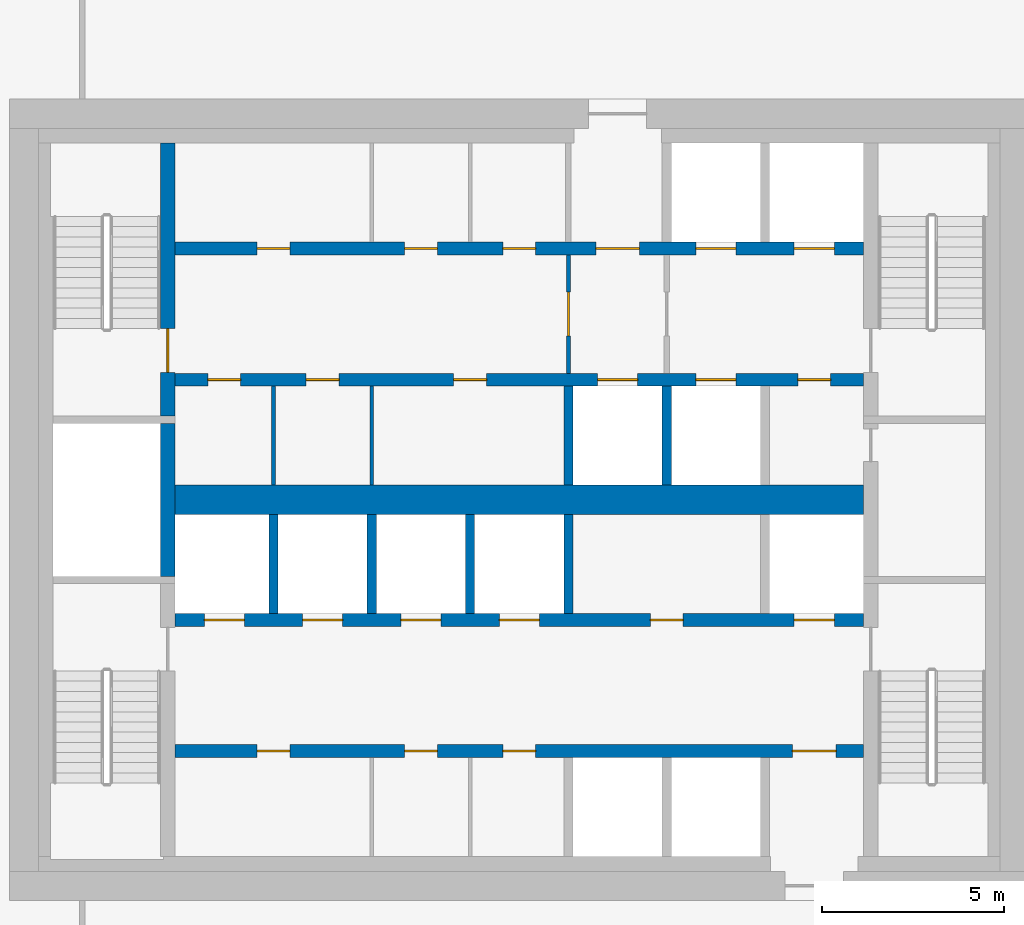
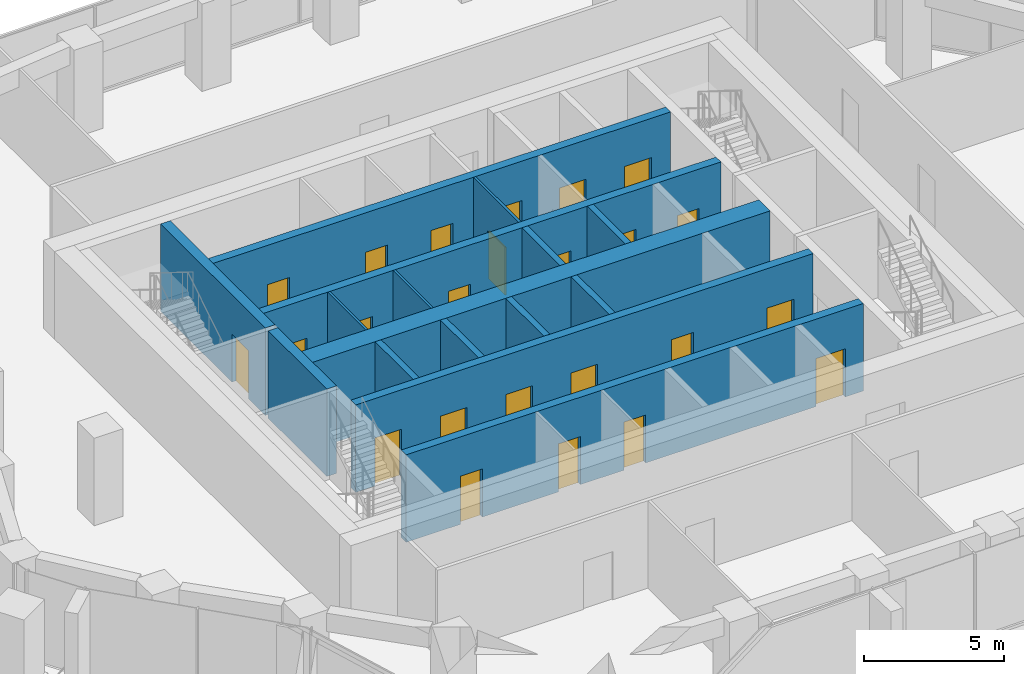
# One storey, part 11 of 17: 24 doors, 16 walls, 24 openings.
"""IFC4 building model written with IfcOpenShell, lengths in metres."""

from ifc_helpers import new_model, si_unit, direction, frame, frame_2d, origin, place, context, subcontext, project, spatial, rectangle, extrude, material, layer, layer_set, type_object, element, fill, save


model = new_model("IFC4")

# Units and contexts
model_context = context("Model", 3, precision=1e-05, world=origin(), true_north=direction((0.0, 1.0)))
body_context = subcontext(model_context, "Body", "Model", "MODEL_VIEW")
ifc_project = project(units=[si_unit("LENGTHUNIT", "METRE"), si_unit("AREAUNIT", "SQUARE_METRE"), si_unit("VOLUMEUNIT", "CUBIC_METRE"), si_unit("PLANEANGLEUNIT", "RADIAN"), si_unit("MASSUNIT", "GRAM", prefix="KILO")], contexts=[model_context])

# Site, building, storey
site_placement = place(None, origin())
site = spatial("IfcSite", under=ifc_project, at=site_placement, CompositionType="ELEMENT")
building_placement = place(site_placement, origin())
building = spatial("IfcBuilding", under=site, at=building_placement, Name="Dongbaek Canopy Tower", CompositionType="ELEMENT")
storey_placement = place(building_placement, frame((0.0, 0.0, 211.39990234375)))
storey = spatial("IfcBuildingStorey", under=building, at=storey_placement, Name="L44", CompositionType="ELEMENT", Elevation=211.39990234375)

# Wall
ifc_material_1 = material(Name="Concrete C60/75", Category="concrete")
ifc_layer_1 = layer(ifc_material_1, 0.800048828125)
ifc_layer_set_1 = layer_set([ifc_layer_1], Name="Core central wall 800 Concrete C60/75")
wall_type_1 = type_object("IfcWallType", Name="Core central wall 800 Concrete C60/75", PredefinedType="SHEAR", material=ifc_layer_set_1)
wall_1_placement = place(storey_placement, frame((-9.449951171875, 0.0, 0.0), z_axis=(0.0, 0.0, 1.0), x_axis=(1.0, 0.0, 0.0)))
element("IfcWall", 1, at=wall_1_placement, inside=storey, type_object=wall_type_1, Name="Core wall", PredefinedType="SHEAR", context=body_context, shape_type="SweptSolid", body=[
    extrude(rectangle(XDim=18.89990234375, YDim=0.800048828125, at=frame_2d((9.449951171875, 0.0))), origin(), (0.0, 0.0, 1.0), 3.820068359375),
])

# Wall, openings, doors
ifc_material_2 = material(Name="Concrete C60/75", Category="concrete")
ifc_layer_2 = layer(ifc_material_2, 0.35009765625)
ifc_layer_set_2 = layer_set([ifc_layer_2], Name="Core lobby wall 350 Concrete C60/75")
wall_type_2 = type_object("IfcWallType", Name="Core lobby wall 350 Concrete C60/75", PredefinedType="SHEAR", material=ifc_layer_set_2)
wall_2_placement = place(storey_placement, frame((-9.449951171875, 6.89990234375, 0.0), z_axis=(0.0, 0.0, 1.0), x_axis=(1.0, 0.0, 0.0)))
wall_2 = element("IfcWall", 2, at=wall_2_placement, inside=storey, type_object=wall_type_2, Name="Core wall", PredefinedType="SHEAR", context=body_context, shape_type="SweptSolid", body=[
    extrude(rectangle(XDim=18.89990234375, YDim=0.35009765625, at=frame_2d((9.449951171875, 0.0))), origin(), (0.0, 0.0, 1.0), 3.820068359375),
])
opening_1_placement = place(wall_2_placement, frame((11.550048828125, 0.0, 0.0)))
opening_1 = element("IfcOpeningElement", 3, at=opening_1_placement, cuts=wall_2, Name="Opening L44-D010", PredefinedType="OPENING", context=body_context, shape_type="SweptSolid", body=[
    extrude(rectangle(XDim=1.199951171875, YDim=2.10009765625, at=frame_2d((0.60009765625, 1.050048828125))), frame((0.0, 0.18505859375, 0.0), z_axis=(0.0, -1.0, 0.0), x_axis=(1.0, 0.0, 0.0)), (0.0, 0.0, 1.0), 0.3701171875),
])
opening_2_placement = place(wall_2_placement, frame((14.300048828125, 0.0, 0.0)))
opening_2 = element("IfcOpeningElement", 4, at=opening_2_placement, cuts=wall_2, Name="Opening L44-D011", PredefinedType="OPENING", context=body_context, shape_type="SweptSolid", body=[
    extrude(rectangle(XDim=1.10009765625, YDim=2.10009765625, at=frame_2d((0.550048828125, 1.050048828125))), frame((0.0, 0.18505859375, 0.0), z_axis=(0.0, -1.0, 0.0), x_axis=(1.0, 0.0, 0.0)), (0.0, 0.0, 1.0), 0.3701171875),
])
opening_3_placement = place(wall_2_placement, frame((17.0, 0.0, 0.0)))
opening_3 = element("IfcOpeningElement", 5, at=opening_3_placement, cuts=wall_2, Name="Opening L44-D012", PredefinedType="OPENING", context=body_context, shape_type="SweptSolid", body=[
    extrude(rectangle(XDim=1.10009765625, YDim=2.10009765625, at=frame_2d((0.550048828125, 1.050048828125))), frame((0.0, 0.18505859375, 0.0), z_axis=(0.0, -1.0, 0.0), x_axis=(1.0, 0.0, 0.0)), (0.0, 0.0, 1.0), 0.3701171875),
])
opening_4_placement = place(wall_2_placement, frame((2.25, 0.0, 0.0)))
opening_4 = element("IfcOpeningElement", 6, at=opening_4_placement, cuts=wall_2, Name="Opening L44-D023", PredefinedType="OPENING", context=body_context, shape_type="SweptSolid", body=[
    extrude(rectangle(XDim=0.89990234375, YDim=2.10009765625, at=frame_2d((0.449951171875, 1.050048828125))), frame((0.0, 0.18505859375, 0.0), z_axis=(0.0, -1.0, 0.0), x_axis=(1.0, 0.0, 0.0)), (0.0, 0.0, 1.0), 0.3701171875),
])
opening_5_placement = place(wall_2_placement, frame((6.300048828125, 0.0, 0.0)))
opening_5 = element("IfcOpeningElement", 7, at=opening_5_placement, cuts=wall_2, Name="Opening L44-D024", PredefinedType="OPENING", context=body_context, shape_type="SweptSolid", body=[
    extrude(rectangle(XDim=0.89990234375, YDim=2.10009765625, at=frame_2d((0.449951171875, 1.050048828125))), frame((0.0, 0.18505859375, 0.0), z_axis=(0.0, -1.0, 0.0), x_axis=(1.0, 0.0, 0.0)), (0.0, 0.0, 1.0), 0.3701171875),
])
opening_6_placement = place(wall_2_placement, frame((9.0, 0.0, 0.0)))
opening_6 = element("IfcOpeningElement", 8, at=opening_6_placement, cuts=wall_2, Name="Opening L44-D025", PredefinedType="OPENING", context=body_context, shape_type="SweptSolid", body=[
    extrude(rectangle(XDim=0.89990234375, YDim=2.10009765625, at=frame_2d((0.449951171875, 1.050048828125))), frame((0.0, 0.18505859375, 0.0), z_axis=(0.0, -1.0, 0.0), x_axis=(1.0, 0.0, 0.0)), (0.0, 0.0, 1.0), 0.3701171875),
])
ifc_material_3 = material(Name="Steel", Category="steel")
door_type_1 = type_object("IfcDoorType", Name="Core room door 900 x 2100", OperationType="SINGLE_SWING_LEFT", PredefinedType="DOOR", material=ifc_material_3)
door_1_placement = place(opening_4_placement, origin())
door_1 = element("IfcDoor", 9, at=door_1_placement, inside=storey, type_object=door_type_1, Name="Door L44-D023", OperationType="SINGLE_SWING_RIGHT", OverallHeight=2.10009765625, OverallWidth=0.89990234375, PredefinedType="DOOR", context=body_context, shape_type="SweptSolid", body=[
    extrude(rectangle(XDim=0.89990234375, YDim=2.10009765625, at=frame_2d((0.449951171875, 1.050048828125))), frame((0.0, 0.02490234375, 0.0), z_axis=(0.0, -1.0, 0.0), x_axis=(1.0, 0.0, 0.0)), (0.0, 0.0, 1.0), 0.050048828125),
])
fill(opening_4, door_1)
door_2_placement = place(opening_5_placement, origin())
door_2 = element("IfcDoor", 10, at=door_2_placement, inside=storey, type_object=door_type_1, Name="Door L44-D024", OperationType="SINGLE_SWING_LEFT", OverallHeight=2.10009765625, OverallWidth=0.89990234375, PredefinedType="DOOR", context=body_context, shape_type="SweptSolid", body=[
    extrude(rectangle(XDim=0.89990234375, YDim=2.10009765625, at=frame_2d((0.449951171875, 1.050048828125))), frame((0.0, 0.02490234375, 0.0), z_axis=(0.0, -1.0, 0.0), x_axis=(1.0, 0.0, 0.0)), (0.0, 0.0, 1.0), 0.050048828125),
])
fill(opening_5, door_2)
door_3_placement = place(opening_6_placement, origin())
door_3 = element("IfcDoor", 11, at=door_3_placement, inside=storey, type_object=door_type_1, Name="Door L44-D025", OperationType="SINGLE_SWING_RIGHT", OverallHeight=2.10009765625, OverallWidth=0.89990234375, PredefinedType="DOOR", context=body_context, shape_type="SweptSolid", body=[
    extrude(rectangle(XDim=0.89990234375, YDim=2.10009765625, at=frame_2d((0.449951171875, 1.050048828125))), frame((0.0, 0.02490234375, 0.0), z_axis=(0.0, -1.0, 0.0), x_axis=(1.0, 0.0, 0.0)), (0.0, 0.0, 1.0), 0.050048828125),
])
fill(opening_6, door_3)
ifc_material_4 = material(Name="Steel", Category="steel")
door_type_2 = type_object("IfcDoorType", Name="Fire lobby door 1200 x 2100", OperationType="SINGLE_SWING_LEFT", PredefinedType="DOOR", material=ifc_material_4)
door_4_placement = place(opening_1_placement, origin())
door_4 = element("IfcDoor", 12, at=door_4_placement, inside=storey, type_object=door_type_2, Name="Door L44-D010", OperationType="SINGLE_SWING_LEFT", OverallHeight=2.10009765625, OverallWidth=1.199951171875, PredefinedType="DOOR", context=body_context, shape_type="SweptSolid", body=[
    extrude(rectangle(XDim=1.199951171875, YDim=2.10009765625, at=frame_2d((0.60009765625, 1.050048828125))), frame((0.0, 0.02490234375, 0.0), z_axis=(0.0, -1.0, 0.0), x_axis=(1.0, 0.0, 0.0)), (0.0, 0.0, 1.0), 0.050048828125),
])
fill(opening_1, door_4)
ifc_material_5 = material(Name="Stainless steel", Category="steel")
door_type_3 = type_object("IfcDoorType", Name="Lift landing door 1100 x 2100", OperationType="DOUBLE_DOOR_SLIDING", PredefinedType="DOOR", material=ifc_material_5)
door_5_placement = place(opening_2_placement, origin())
door_5 = element("IfcDoor", 13, at=door_5_placement, inside=storey, type_object=door_type_3, Name="Landing door FF1", OperationType="DOUBLE_DOOR_SLIDING", OverallHeight=2.10009765625, OverallWidth=1.10009765625, PredefinedType="DOOR", context=body_context, shape_type="SweptSolid", body=[
    extrude(rectangle(XDim=1.10009765625, YDim=2.10009765625, at=frame_2d((0.550048828125, 1.050048828125))), frame((0.0, 0.02490234375, 0.0), z_axis=(0.0, -1.0, 0.0), x_axis=(1.0, 0.0, 0.0)), (0.0, 0.0, 1.0), 0.050048828125),
])
fill(opening_2, door_5)
door_6_placement = place(opening_3_placement, origin())
door_6 = element("IfcDoor", 14, at=door_6_placement, inside=storey, type_object=door_type_3, Name="Landing door FF2", OperationType="DOUBLE_DOOR_SLIDING", OverallHeight=2.10009765625, OverallWidth=1.10009765625, PredefinedType="DOOR", context=body_context, shape_type="SweptSolid", body=[
    extrude(rectangle(XDim=1.10009765625, YDim=2.10009765625, at=frame_2d((0.550048828125, 1.050048828125))), frame((0.0, 0.02490234375, 0.0), z_axis=(0.0, -1.0, 0.0), x_axis=(1.0, 0.0, 0.0)), (0.0, 0.0, 1.0), 0.050048828125),
])
fill(opening_3, door_6)

wall_3_placement = place(storey_placement, frame((9.449951171875, 3.300048828125, 0.0), z_axis=(0.0, 0.0, 1.0), x_axis=(-1.0, 0.0, 0.0)))
wall_3 = element("IfcWall", 15, at=wall_3_placement, inside=storey, type_object=wall_type_2, Name="Core wall", PredefinedType="SHEAR", context=body_context, shape_type="SweptSolid", body=[
    extrude(rectangle(XDim=18.89990234375, YDim=0.35009765625, at=frame_2d((9.449951171875, 0.0))), origin(), (0.0, 0.0, 1.0), 3.820068359375),
])
opening_7_placement = place(wall_3_placement, frame((6.199951171875, 0.0, 0.0)))
opening_7 = element("IfcOpeningElement", 16, at=opening_7_placement, cuts=wall_3, Name="Opening L44-D013", PredefinedType="OPENING", context=body_context, shape_type="SweptSolid", body=[
    extrude(rectangle(XDim=1.10009765625, YDim=2.10009765625, at=frame_2d((0.550048828125, 1.050048828125))), frame((0.0, 0.18505859375, 0.0), z_axis=(0.0, -1.0, 0.0), x_axis=(1.0, 0.0, 0.0)), (0.0, 0.0, 1.0), 0.3701171875),
])
opening_8_placement = place(wall_3_placement, frame((3.5, 0.0, 0.0)))
opening_8 = element("IfcOpeningElement", 17, at=opening_8_placement, cuts=wall_3, Name="Opening L44-D014", PredefinedType="OPENING", context=body_context, shape_type="SweptSolid", body=[
    extrude(rectangle(XDim=1.10009765625, YDim=2.10009765625, at=frame_2d((0.550048828125, 1.050048828125))), frame((0.0, 0.18505859375, 0.0), z_axis=(0.0, -1.0, 0.0), x_axis=(1.0, 0.0, 0.0)), (0.0, 0.0, 1.0), 0.3701171875),
])
opening_9_placement = place(wall_3_placement, frame((0.89990234375, 0.0, 0.0)))
opening_9 = element("IfcOpeningElement", 18, at=opening_9_placement, cuts=wall_3, Name="Opening L44-D015", PredefinedType="OPENING", context=body_context, shape_type="SweptSolid", body=[
    extrude(rectangle(XDim=0.89990234375, YDim=2.10009765625, at=frame_2d((0.449951171875, 1.050048828125))), frame((0.0, 0.18505859375, 0.0), z_axis=(0.0, -1.0, 0.0), x_axis=(1.0, 0.0, 0.0)), (0.0, 0.0, 1.0), 0.3701171875),
])
opening_10_placement = place(wall_3_placement, frame((17.10009765625, 0.0, 0.0)))
opening_10 = element("IfcOpeningElement", 19, at=opening_10_placement, cuts=wall_3, Name="Opening L44-D026", PredefinedType="OPENING", context=body_context, shape_type="SweptSolid", body=[
    extrude(rectangle(XDim=0.89990234375, YDim=2.10009765625, at=frame_2d((0.449951171875, 1.050048828125))), frame((0.0, 0.18505859375, 0.0), z_axis=(0.0, -1.0, 0.0), x_axis=(1.0, 0.0, 0.0)), (0.0, 0.0, 1.0), 0.3701171875),
])
opening_11_placement = place(wall_3_placement, frame((14.39990234375, 0.0, 0.0)))
opening_11 = element("IfcOpeningElement", 20, at=opening_11_placement, cuts=wall_3, Name="Opening L44-D027", PredefinedType="OPENING", context=body_context, shape_type="SweptSolid", body=[
    extrude(rectangle(XDim=0.89990234375, YDim=2.10009765625, at=frame_2d((0.449951171875, 1.050048828125))), frame((0.0, 0.18505859375, 0.0), z_axis=(0.0, -1.0, 0.0), x_axis=(1.0, 0.0, 0.0)), (0.0, 0.0, 1.0), 0.3701171875),
])
opening_12_placement = place(wall_3_placement, frame((10.35009765625, 0.0, 0.0)))
opening_12 = element("IfcOpeningElement", 21, at=opening_12_placement, cuts=wall_3, Name="Opening L44-D028", PredefinedType="OPENING", context=body_context, shape_type="SweptSolid", body=[
    extrude(rectangle(XDim=0.89990234375, YDim=2.10009765625, at=frame_2d((0.449951171875, 1.050048828125))), frame((0.0, 0.18505859375, 0.0), z_axis=(0.0, -1.0, 0.0), x_axis=(1.0, 0.0, 0.0)), (0.0, 0.0, 1.0), 0.3701171875),
])
door_7_placement = place(opening_9_placement, origin())
door_7 = element("IfcDoor", 22, at=door_7_placement, inside=storey, type_object=door_type_1, Name="Door L44-D015", OperationType="SINGLE_SWING_LEFT", OverallHeight=2.10009765625, OverallWidth=0.89990234375, PredefinedType="DOOR", context=body_context, shape_type="SweptSolid", body=[
    extrude(rectangle(XDim=0.89990234375, YDim=2.10009765625, at=frame_2d((0.449951171875, 1.050048828125))), frame((0.0, 0.02490234375, 0.0), z_axis=(0.0, -1.0, 0.0), x_axis=(1.0, 0.0, 0.0)), (0.0, 0.0, 1.0), 0.050048828125),
])
fill(opening_9, door_7)
door_8_placement = place(opening_10_placement, origin())
door_8 = element("IfcDoor", 23, at=door_8_placement, inside=storey, type_object=door_type_1, Name="Door L44-D026", OperationType="SINGLE_SWING_LEFT", OverallHeight=2.10009765625, OverallWidth=0.89990234375, PredefinedType="DOOR", context=body_context, shape_type="SweptSolid", body=[
    extrude(rectangle(XDim=0.89990234375, YDim=2.10009765625, at=frame_2d((0.449951171875, 1.050048828125))), frame((0.0, 0.02490234375, 0.0), z_axis=(0.0, -1.0, 0.0), x_axis=(1.0, 0.0, 0.0)), (0.0, 0.0, 1.0), 0.050048828125),
])
fill(opening_10, door_8)
door_9_placement = place(opening_11_placement, origin())
door_9 = element("IfcDoor", 24, at=door_9_placement, inside=storey, type_object=door_type_1, Name="Door L44-D027", OperationType="SINGLE_SWING_RIGHT", OverallHeight=2.10009765625, OverallWidth=0.89990234375, PredefinedType="DOOR", context=body_context, shape_type="SweptSolid", body=[
    extrude(rectangle(XDim=0.89990234375, YDim=2.10009765625, at=frame_2d((0.449951171875, 1.050048828125))), frame((0.0, 0.02490234375, 0.0), z_axis=(0.0, -1.0, 0.0), x_axis=(1.0, 0.0, 0.0)), (0.0, 0.0, 1.0), 0.050048828125),
])
fill(opening_11, door_9)
door_10_placement = place(opening_12_placement, origin())
door_10 = element("IfcDoor", 25, at=door_10_placement, inside=storey, type_object=door_type_1, Name="Door L44-D028", OperationType="SINGLE_SWING_LEFT", OverallHeight=2.10009765625, OverallWidth=0.89990234375, PredefinedType="DOOR", context=body_context, shape_type="SweptSolid", body=[
    extrude(rectangle(XDim=0.89990234375, YDim=2.10009765625, at=frame_2d((0.449951171875, 1.050048828125))), frame((0.0, 0.02490234375, 0.0), z_axis=(0.0, -1.0, 0.0), x_axis=(1.0, 0.0, 0.0)), (0.0, 0.0, 1.0), 0.050048828125),
])
fill(opening_12, door_10)
door_11_placement = place(opening_7_placement, origin())
door_11 = element("IfcDoor", 26, at=door_11_placement, inside=storey, type_object=door_type_3, Name="Landing door SV1", OperationType="DOUBLE_DOOR_SLIDING", OverallHeight=2.10009765625, OverallWidth=1.10009765625, PredefinedType="DOOR", context=body_context, shape_type="SweptSolid", body=[
    extrude(rectangle(XDim=1.10009765625, YDim=2.10009765625, at=frame_2d((0.550048828125, 1.050048828125))), frame((0.0, 0.02490234375, 0.0), z_axis=(0.0, -1.0, 0.0), x_axis=(1.0, 0.0, 0.0)), (0.0, 0.0, 1.0), 0.050048828125),
])
fill(opening_7, door_11)
door_12_placement = place(opening_8_placement, origin())
door_12 = element("IfcDoor", 27, at=door_12_placement, inside=storey, type_object=door_type_3, Name="Landing door FF3", OperationType="DOUBLE_DOOR_SLIDING", OverallHeight=2.10009765625, OverallWidth=1.10009765625, PredefinedType="DOOR", context=body_context, shape_type="SweptSolid", body=[
    extrude(rectangle(XDim=1.10009765625, YDim=2.10009765625, at=frame_2d((0.550048828125, 1.050048828125))), frame((0.0, 0.02490234375, 0.0), z_axis=(0.0, -1.0, 0.0), x_axis=(1.0, 0.0, 0.0)), (0.0, 0.0, 1.0), 0.050048828125),
])
fill(opening_8, door_12)

wall_4_placement = place(storey_placement, frame((-9.449951171875, -3.300048828125, 0.0), z_axis=(0.0, 0.0, 1.0), x_axis=(1.0, 0.0, 0.0)))
wall_4 = element("IfcWall", 28, at=wall_4_placement, inside=storey, type_object=wall_type_2, Name="Core wall", PredefinedType="SHEAR", context=body_context, shape_type="SweptSolid", body=[
    extrude(rectangle(XDim=18.89990234375, YDim=0.35009765625, at=frame_2d((9.449951171875, 0.0))), origin(), (0.0, 0.0, 1.0), 3.820068359375),
])
opening_13_placement = place(wall_4_placement, frame((0.800048828125, 0.0, 0.0)))
opening_13 = element("IfcOpeningElement", 29, at=opening_13_placement, cuts=wall_4, Name="Opening L44-D016", PredefinedType="OPENING", context=body_context, shape_type="SweptSolid", body=[
    extrude(rectangle(XDim=1.10009765625, YDim=2.10009765625, at=frame_2d((0.550048828125, 1.050048828125))), frame((0.0, 0.18505859375, 0.0), z_axis=(0.0, -1.0, 0.0), x_axis=(1.0, 0.0, 0.0)), (0.0, 0.0, 1.0), 0.3701171875),
])
opening_14_placement = place(wall_4_placement, frame((3.5, 0.0, 0.0)))
opening_14 = element("IfcOpeningElement", 30, at=opening_14_placement, cuts=wall_4, Name="Opening L44-D017", PredefinedType="OPENING", context=body_context, shape_type="SweptSolid", body=[
    extrude(rectangle(XDim=1.10009765625, YDim=2.10009765625, at=frame_2d((0.550048828125, 1.050048828125))), frame((0.0, 0.18505859375, 0.0), z_axis=(0.0, -1.0, 0.0), x_axis=(1.0, 0.0, 0.0)), (0.0, 0.0, 1.0), 0.3701171875),
])
opening_15_placement = place(wall_4_placement, frame((6.199951171875, 0.0, 0.0)))
opening_15 = element("IfcOpeningElement", 31, at=opening_15_placement, cuts=wall_4, Name="Opening L44-D018", PredefinedType="OPENING", context=body_context, shape_type="SweptSolid", body=[
    extrude(rectangle(XDim=1.10009765625, YDim=2.10009765625, at=frame_2d((0.550048828125, 1.050048828125))), frame((0.0, 0.18505859375, 0.0), z_axis=(0.0, -1.0, 0.0), x_axis=(1.0, 0.0, 0.0)), (0.0, 0.0, 1.0), 0.3701171875),
])
opening_16_placement = place(wall_4_placement, frame((8.89990234375, 0.0, 0.0)))
opening_16 = element("IfcOpeningElement", 32, at=opening_16_placement, cuts=wall_4, Name="Opening L44-D019", PredefinedType="OPENING", context=body_context, shape_type="SweptSolid", body=[
    extrude(rectangle(XDim=1.10009765625, YDim=2.10009765625, at=frame_2d((0.550048828125, 1.050048828125))), frame((0.0, 0.18505859375, 0.0), z_axis=(0.0, -1.0, 0.0), x_axis=(1.0, 0.0, 0.0)), (0.0, 0.0, 1.0), 0.3701171875),
])
opening_17_placement = place(wall_4_placement, frame((17.0, 0.0, 0.0)))
opening_17 = element("IfcOpeningElement", 33, at=opening_17_placement, cuts=wall_4, Name="Opening L44-D020", PredefinedType="OPENING", context=body_context, shape_type="SweptSolid", body=[
    extrude(rectangle(XDim=1.10009765625, YDim=2.10009765625, at=frame_2d((0.550048828125, 1.050048828125))), frame((0.0, 0.18505859375, 0.0), z_axis=(0.0, -1.0, 0.0), x_axis=(1.0, 0.0, 0.0)), (0.0, 0.0, 1.0), 0.3701171875),
])
opening_18_placement = place(wall_4_placement, frame((13.050048828125, 0.0, 0.0)))
opening_18 = element("IfcOpeningElement", 34, at=opening_18_placement, cuts=wall_4, Name="Opening L44-D029", PredefinedType="OPENING", context=body_context, shape_type="SweptSolid", body=[
    extrude(rectangle(XDim=0.89990234375, YDim=2.10009765625, at=frame_2d((0.449951171875, 1.050048828125))), frame((0.0, 0.18505859375, 0.0), z_axis=(0.0, -1.0, 0.0), x_axis=(1.0, 0.0, 0.0)), (0.0, 0.0, 1.0), 0.3701171875),
])
door_13_placement = place(opening_18_placement, origin())
door_13 = element("IfcDoor", 35, at=door_13_placement, inside=storey, type_object=door_type_1, Name="Door L44-D029", OperationType="SINGLE_SWING_RIGHT", OverallHeight=2.10009765625, OverallWidth=0.89990234375, PredefinedType="DOOR", context=body_context, shape_type="SweptSolid", body=[
    extrude(rectangle(XDim=0.89990234375, YDim=2.10009765625, at=frame_2d((0.449951171875, 1.050048828125))), frame((0.0, 0.02490234375, 0.0), z_axis=(0.0, -1.0, 0.0), x_axis=(1.0, 0.0, 0.0)), (0.0, 0.0, 1.0), 0.050048828125),
])
fill(opening_18, door_13)
door_14_placement = place(opening_13_placement, origin())
door_14 = element("IfcDoor", 36, at=door_14_placement, inside=storey, type_object=door_type_3, Name="Landing door MR1", OperationType="DOUBLE_DOOR_SLIDING", OverallHeight=2.10009765625, OverallWidth=1.10009765625, PredefinedType="DOOR", context=body_context, shape_type="SweptSolid", body=[
    extrude(rectangle(XDim=1.10009765625, YDim=2.10009765625, at=frame_2d((0.550048828125, 1.050048828125))), frame((0.0, 0.02490234375, 0.0), z_axis=(0.0, -1.0, 0.0), x_axis=(1.0, 0.0, 0.0)), (0.0, 0.0, 1.0), 0.050048828125),
])
fill(opening_13, door_14)
door_15_placement = place(opening_14_placement, origin())
door_15 = element("IfcDoor", 37, at=door_15_placement, inside=storey, type_object=door_type_3, Name="Landing door MR2", OperationType="DOUBLE_DOOR_SLIDING", OverallHeight=2.10009765625, OverallWidth=1.10009765625, PredefinedType="DOOR", context=body_context, shape_type="SweptSolid", body=[
    extrude(rectangle(XDim=1.10009765625, YDim=2.10009765625, at=frame_2d((0.550048828125, 1.050048828125))), frame((0.0, 0.02490234375, 0.0), z_axis=(0.0, -1.0, 0.0), x_axis=(1.0, 0.0, 0.0)), (0.0, 0.0, 1.0), 0.050048828125),
])
fill(opening_14, door_15)
door_16_placement = place(opening_15_placement, origin())
door_16 = element("IfcDoor", 38, at=door_16_placement, inside=storey, type_object=door_type_3, Name="Landing door MR3", OperationType="DOUBLE_DOOR_SLIDING", OverallHeight=2.10009765625, OverallWidth=1.10009765625, PredefinedType="DOOR", context=body_context, shape_type="SweptSolid", body=[
    extrude(rectangle(XDim=1.10009765625, YDim=2.10009765625, at=frame_2d((0.550048828125, 1.050048828125))), frame((0.0, 0.02490234375, 0.0), z_axis=(0.0, -1.0, 0.0), x_axis=(1.0, 0.0, 0.0)), (0.0, 0.0, 1.0), 0.050048828125),
])
fill(opening_15, door_16)
door_17_placement = place(opening_16_placement, origin())
door_17 = element("IfcDoor", 39, at=door_17_placement, inside=storey, type_object=door_type_3, Name="Landing door MR4", OperationType="DOUBLE_DOOR_SLIDING", OverallHeight=2.10009765625, OverallWidth=1.10009765625, PredefinedType="DOOR", context=body_context, shape_type="SweptSolid", body=[
    extrude(rectangle(XDim=1.10009765625, YDim=2.10009765625, at=frame_2d((0.550048828125, 1.050048828125))), frame((0.0, 0.02490234375, 0.0), z_axis=(0.0, -1.0, 0.0), x_axis=(1.0, 0.0, 0.0)), (0.0, 0.0, 1.0), 0.050048828125),
])
fill(opening_16, door_17)
door_18_placement = place(opening_17_placement, origin())
door_18 = element("IfcDoor", 40, at=door_18_placement, inside=storey, type_object=door_type_3, Name="Landing door SV2", OperationType="DOUBLE_DOOR_SLIDING", OverallHeight=2.10009765625, OverallWidth=1.10009765625, PredefinedType="DOOR", context=body_context, shape_type="SweptSolid", body=[
    extrude(rectangle(XDim=1.10009765625, YDim=2.10009765625, at=frame_2d((0.550048828125, 1.050048828125))), frame((0.0, 0.02490234375, 0.0), z_axis=(0.0, -1.0, 0.0), x_axis=(1.0, 0.0, 0.0)), (0.0, 0.0, 1.0), 0.050048828125),
])
fill(opening_17, door_18)

wall_5_placement = place(storey_placement, frame((9.449951171875, -6.89990234375, 0.0), z_axis=(0.0, 0.0, 1.0), x_axis=(-1.0, 0.0, 0.0)))
wall_5 = element("IfcWall", 41, at=wall_5_placement, inside=storey, type_object=wall_type_2, Name="Core wall", PredefinedType="SHEAR", context=body_context, shape_type="SweptSolid", body=[
    extrude(rectangle(XDim=18.89990234375, YDim=0.35009765625, at=frame_2d((9.449951171875, 0.0))), origin(), (0.0, 0.0, 1.0), 3.820068359375),
])
opening_19_placement = place(wall_5_placement, frame((0.75, 0.0, 0.0)))
opening_19 = element("IfcOpeningElement", 42, at=opening_19_placement, cuts=wall_5, Name="Opening L44-D022", PredefinedType="OPENING", context=body_context, shape_type="SweptSolid", body=[
    extrude(rectangle(XDim=1.199951171875, YDim=2.10009765625, at=frame_2d((0.60009765625, 1.050048828125))), frame((0.0, 0.18505859375, 0.0), z_axis=(0.0, -1.0, 0.0), x_axis=(1.0, 0.0, 0.0)), (0.0, 0.0, 1.0), 0.3701171875),
])
opening_20_placement = place(wall_5_placement, frame((15.75, 0.0, 0.0)))
opening_20 = element("IfcOpeningElement", 43, at=opening_20_placement, cuts=wall_5, Name="Opening L44-D030", PredefinedType="OPENING", context=body_context, shape_type="SweptSolid", body=[
    extrude(rectangle(XDim=0.89990234375, YDim=2.10009765625, at=frame_2d((0.449951171875, 1.050048828125))), frame((0.0, 0.18505859375, 0.0), z_axis=(0.0, -1.0, 0.0), x_axis=(1.0, 0.0, 0.0)), (0.0, 0.0, 1.0), 0.3701171875),
])
opening_21_placement = place(wall_5_placement, frame((11.699951171875, 0.0, 0.0)))
opening_21 = element("IfcOpeningElement", 44, at=opening_21_placement, cuts=wall_5, Name="Opening L44-D031", PredefinedType="OPENING", context=body_context, shape_type="SweptSolid", body=[
    extrude(rectangle(XDim=0.89990234375, YDim=2.10009765625, at=frame_2d((0.449951171875, 1.050048828125))), frame((0.0, 0.18505859375, 0.0), z_axis=(0.0, -1.0, 0.0), x_axis=(1.0, 0.0, 0.0)), (0.0, 0.0, 1.0), 0.3701171875),
])
opening_22_placement = place(wall_5_placement, frame((9.0, 0.0, 0.0)))
opening_22 = element("IfcOpeningElement", 45, at=opening_22_placement, cuts=wall_5, Name="Opening L44-D032", PredefinedType="OPENING", context=body_context, shape_type="SweptSolid", body=[
    extrude(rectangle(XDim=0.89990234375, YDim=2.10009765625, at=frame_2d((0.449951171875, 1.050048828125))), frame((0.0, 0.18505859375, 0.0), z_axis=(0.0, -1.0, 0.0), x_axis=(1.0, 0.0, 0.0)), (0.0, 0.0, 1.0), 0.3701171875),
])
door_19_placement = place(opening_20_placement, origin())
door_19 = element("IfcDoor", 46, at=door_19_placement, inside=storey, type_object=door_type_1, Name="Door L44-D030", OperationType="SINGLE_SWING_LEFT", OverallHeight=2.10009765625, OverallWidth=0.89990234375, PredefinedType="DOOR", context=body_context, shape_type="SweptSolid", body=[
    extrude(rectangle(XDim=0.89990234375, YDim=2.10009765625, at=frame_2d((0.449951171875, 1.050048828125))), frame((0.0, 0.02490234375, 0.0), z_axis=(0.0, -1.0, 0.0), x_axis=(1.0, 0.0, 0.0)), (0.0, 0.0, 1.0), 0.050048828125),
])
fill(opening_20, door_19)
door_20_placement = place(opening_21_placement, origin())
door_20 = element("IfcDoor", 47, at=door_20_placement, inside=storey, type_object=door_type_1, Name="Door L44-D031", OperationType="SINGLE_SWING_RIGHT", OverallHeight=2.10009765625, OverallWidth=0.89990234375, PredefinedType="DOOR", context=body_context, shape_type="SweptSolid", body=[
    extrude(rectangle(XDim=0.89990234375, YDim=2.10009765625, at=frame_2d((0.449951171875, 1.050048828125))), frame((0.0, 0.02490234375, 0.0), z_axis=(0.0, -1.0, 0.0), x_axis=(1.0, 0.0, 0.0)), (0.0, 0.0, 1.0), 0.050048828125),
])
fill(opening_21, door_20)
door_21_placement = place(opening_22_placement, origin())
door_21 = element("IfcDoor", 48, at=door_21_placement, inside=storey, type_object=door_type_1, Name="Door L44-D032", OperationType="SINGLE_SWING_LEFT", OverallHeight=2.10009765625, OverallWidth=0.89990234375, PredefinedType="DOOR", context=body_context, shape_type="SweptSolid", body=[
    extrude(rectangle(XDim=0.89990234375, YDim=2.10009765625, at=frame_2d((0.449951171875, 1.050048828125))), frame((0.0, 0.02490234375, 0.0), z_axis=(0.0, -1.0, 0.0), x_axis=(1.0, 0.0, 0.0)), (0.0, 0.0, 1.0), 0.050048828125),
])
fill(opening_22, door_21)
door_22_placement = place(opening_19_placement, origin())
door_22 = element("IfcDoor", 49, at=door_22_placement, inside=storey, type_object=door_type_2, Name="Door L44-D022", OperationType="SINGLE_SWING_LEFT", OverallHeight=2.10009765625, OverallWidth=1.199951171875, PredefinedType="DOOR", context=body_context, shape_type="SweptSolid", body=[
    extrude(rectangle(XDim=1.199951171875, YDim=2.10009765625, at=frame_2d((0.60009765625, 1.050048828125))), frame((0.0, 0.02490234375, 0.0), z_axis=(0.0, -1.0, 0.0), x_axis=(1.0, 0.0, 0.0)), (0.0, 0.0, 1.0), 0.050048828125),
])
fill(opening_19, door_22)

# Walls
ifc_material_6 = material(Name="Concrete C40/50", Category="concrete")
ifc_layer_3 = layer(ifc_material_6, 0.25)
ifc_layer_set_3 = layer_set([ifc_layer_3], Name="Lift shaft wall 250 Concrete C40/50")
wall_type_3 = type_object("IfcWallType", Name="Lift shaft wall 250 Concrete C40/50", PredefinedType="SOLIDWALL", material=ifc_layer_set_3)
for number, where, z_axis, x_axis, name in (
    (50, (4.050048828125, 0.39990234375, 0.0), (0.0, 0.0, 1.0), (0.0, 1.0, 0.0), "Lift shaft wall"),
    (51, (1.35009765625, -3.125, 0.0), (0.0, 0.0, 1.0), (0.0, 1.0, 0.0), "Lift shaft wall"),
    (52, (1.35009765625, 0.39990234375, 0.0), (0.0, 0.0, 1.0), (0.0, 1.0, 0.0), "Lift shaft wall"),
    (53, (-1.35009765625, -3.125, 0.0), (0.0, 0.0, 1.0), (0.0, 1.0, 0.0), "Lift shaft wall"),
    (54, (-4.050048828125, -3.125, 0.0), (0.0, 0.0, 1.0), (0.0, 1.0, 0.0), "Lift shaft wall"),
    (55, (-6.75, -3.125, 0.0), (0.0, 0.0, 1.0), (0.0, 1.0, 0.0), "Lift shaft wall"),
):
    element("IfcWall", number, at=place(storey_placement, frame(where, z_axis=z_axis, x_axis=x_axis)), inside=storey, type_object=wall_type_3, Name=name, PredefinedType="SOLIDWALL", context=body_context, shape_type="SweptSolid", body=[
        extrude(rectangle(XDim=2.72509765625, YDim=0.25, at=frame_2d((1.362548828125, 0.0))), origin(), (0.0, 0.0, 1.0), 3.820068359375),
    ])

# Wall, opening, door
ifc_material_7 = material(Name="Gypsum board partition, steel stud, 2 x 12.5 mm board", Category="steel")
ifc_layer_4 = layer(ifc_material_7, 0.10009765625)
ifc_layer_set_4 = layer_set([ifc_layer_4], Name="Partition 100 gypsum board")
wall_type_4 = type_object("IfcWallType", Name="Partition 100 gypsum board", PredefinedType="PARTITIONING", material=ifc_layer_set_4)
wall_6_placement = place(storey_placement, frame((1.35009765625, 6.72509765625, 0.0), z_axis=(0.0, 0.0, 1.0), x_axis=(0.0, -1.0, 0.0)))
wall_6 = element("IfcWall", 56, at=wall_6_placement, inside=storey, type_object=wall_type_4, Name="Core partition", PredefinedType="PARTITIONING", context=body_context, shape_type="SweptSolid", body=[
    extrude(rectangle(XDim=3.25, YDim=0.10009765625, at=frame_2d((1.625, 0.0))), origin(), (0.0, 0.0, 1.0), 3.820068359375),
])
opening_23_placement = place(wall_6_placement, frame((1.02490234375, 0.0, 0.0)))
opening_23 = element("IfcOpeningElement", 57, at=opening_23_placement, cuts=wall_6, Name="Opening L44-D037", PredefinedType="OPENING", context=body_context, shape_type="SweptSolid", body=[
    extrude(rectangle(XDim=1.199951171875, YDim=2.10009765625, at=frame_2d((0.60009765625, 1.050048828125))), frame((0.0, 0.06005859375, 0.0), z_axis=(0.0, -1.0, 0.0), x_axis=(1.0, 0.0, 0.0)), (0.0, 0.0, 1.0), 0.1201171875),
])
door_23_placement = place(opening_23_placement, origin())
door_23 = element("IfcDoor", 58, at=door_23_placement, inside=storey, type_object=door_type_2, Name="Door L44-D037", OperationType="SINGLE_SWING_LEFT", OverallHeight=2.10009765625, OverallWidth=1.199951171875, PredefinedType="DOOR", context=body_context, shape_type="SweptSolid", body=[
    extrude(rectangle(XDim=1.199951171875, YDim=2.10009765625, at=frame_2d((0.60009765625, 1.050048828125))), frame((0.0, 0.02490234375, 0.0), z_axis=(0.0, -1.0, 0.0), x_axis=(1.0, 0.0, 0.0)), (0.0, 0.0, 1.0), 0.050048828125),
])
fill(opening_23, door_23)

# Walls
for number, where, z_axis, x_axis, name in (
    (59, (-4.050048828125, 0.39990234375, 0.0), (0.0, 0.0, 1.0), (0.0, 1.0, 0.0), "Core partition"),
    (60, (-6.75, 0.39990234375, 0.0), (0.0, 0.0, 1.0), (0.0, 1.0, 0.0), "Core partition"),
):
    element("IfcWall", number, at=place(storey_placement, frame(where, z_axis=z_axis, x_axis=x_axis)), inside=storey, type_object=wall_type_4, Name=name, PredefinedType="PARTITIONING", context=body_context, shape_type="SweptSolid", body=[
        extrude(rectangle(XDim=2.72509765625, YDim=0.10009765625, at=frame_2d((1.362548828125, 0.0))), origin(), (0.0, 0.0, 1.0), 3.820068359375),
    ])
ifc_material_8 = material(Name="Concrete C60/75", Category="concrete")
ifc_layer_5 = layer(ifc_material_8, 0.39990234375)
ifc_layer_set_5 = layer_set([ifc_layer_5], Name="Stair wall 400 Concrete C60/75")
wall_type_5 = type_object("IfcWallType", Name="Stair wall 400 Concrete C60/75", PredefinedType="SHEAR", material=ifc_layer_set_5)
wall_7_placement = place(storey_placement, frame((-9.64990234375, -2.10009765625, 0.0), z_axis=(0.0, 0.0, 1.0), x_axis=(0.0, 1.0, 0.0)))
element("IfcWall", 61, at=wall_7_placement, inside=storey, type_object=wall_type_5, Name="Stair wall", PredefinedType="SHEAR", context=body_context, shape_type="SweptSolid", body=[
    extrude(rectangle(XDim=4.2001953125, YDim=0.39990234375, at=frame_2d((2.10009765625, 0.0))), origin(), (0.0, 0.0, 1.0), 3.820068359375),
])

# Wall, opening, door
wall_8_placement = place(storey_placement, frame((-9.64990234375, 2.300048828125, 0.0), z_axis=(0.0, 0.0, 1.0), x_axis=(0.0, 1.0, 0.0)))
wall_8 = element("IfcWall", 62, at=wall_8_placement, inside=storey, type_object=wall_type_5, Name="Stair wall", PredefinedType="SHEAR", context=body_context, shape_type="SweptSolid", body=[
    extrude(rectangle(XDim=7.5, YDim=0.39990234375, at=frame_2d((3.75, 0.0))), origin(), (0.0, 0.0, 1.0), 3.820068359375),
])
opening_24_placement = place(wall_8_placement, frame((1.199951171875, 0.0, 0.0)))
opening_24 = element("IfcOpeningElement", 63, at=opening_24_placement, cuts=wall_8, Name="Opening L44-D034", PredefinedType="OPENING", context=body_context, shape_type="SweptSolid", body=[
    extrude(rectangle(XDim=1.199951171875, YDim=2.10009765625, at=frame_2d((0.60009765625, 1.050048828125))), frame((0.0, 0.2099609375, 0.0), z_axis=(0.0, -1.0, 0.0), x_axis=(1.0, 0.0, 0.0)), (0.0, 0.0, 1.0), 0.419921875),
])
ifc_material_9 = material(Name="Steel", Category="steel")
door_type_4 = type_object("IfcDoorType", Name="Stair door 1200 x 2100", OperationType="SINGLE_SWING_LEFT", PredefinedType="DOOR", material=ifc_material_9)
door_24_placement = place(opening_24_placement, origin())
door_24 = element("IfcDoor", 64, at=door_24_placement, inside=storey, type_object=door_type_4, Name="Stair C door", OperationType="SINGLE_SWING_RIGHT", OverallHeight=2.10009765625, OverallWidth=1.199951171875, PredefinedType="DOOR", context=body_context, shape_type="SweptSolid", body=[
    extrude(rectangle(XDim=1.199951171875, YDim=2.10009765625, at=frame_2d((0.60009765625, 1.050048828125))), frame((0.0, 0.02490234375, 0.0), z_axis=(0.0, -1.0, 0.0), x_axis=(1.0, 0.0, 0.0)), (0.0, 0.0, 1.0), 0.050048828125),
])
fill(opening_24, door_24)

save(model, "model.ifc")
